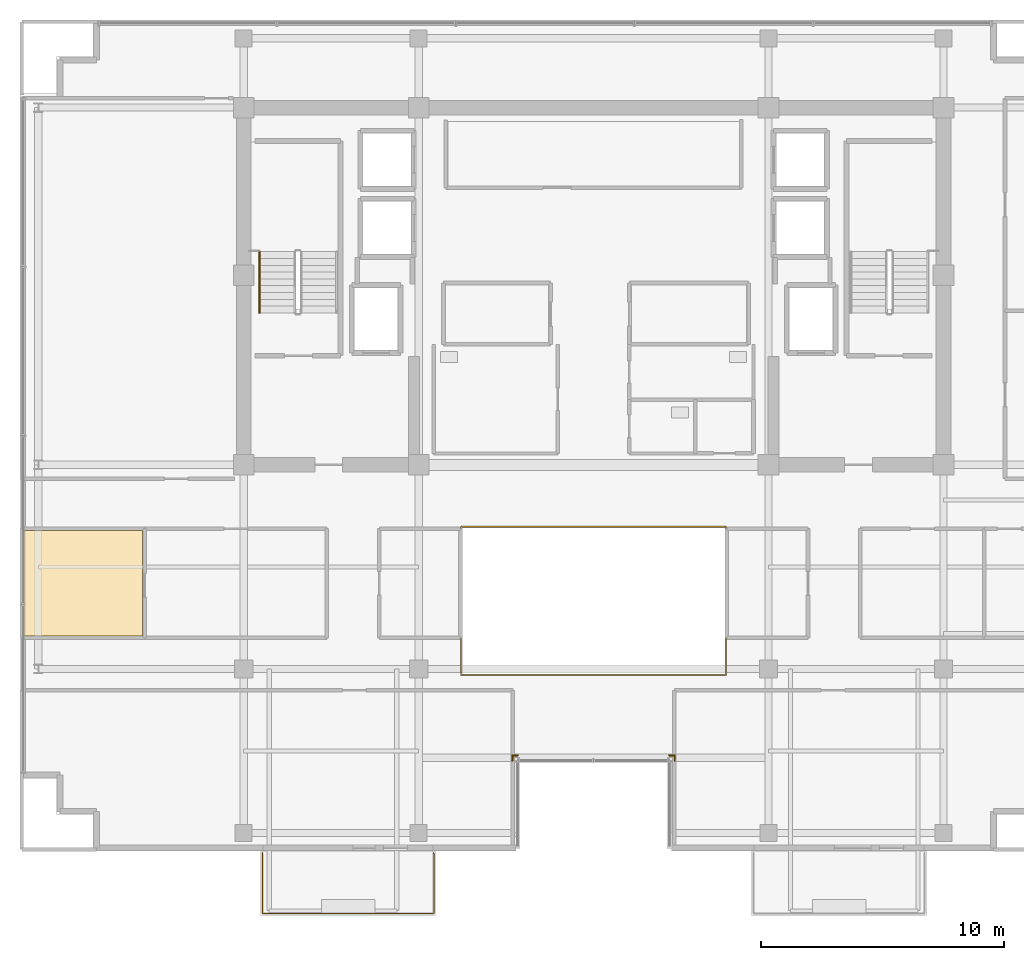
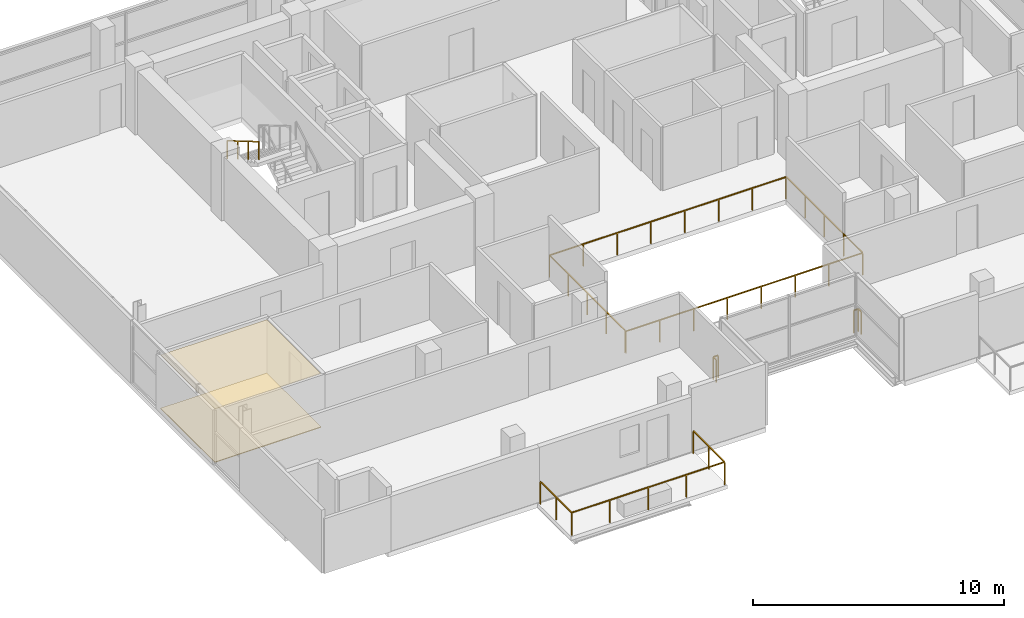
# One storey, part 20 of 23: 7 railings, 2 coverings.
"""IFC4 building model written with IfcOpenShell, lengths in metres."""

import ifcopenshell
import ifcopenshell.guid

model = None  # the IFC model being written
_history = None  # IfcOwnerHistory: only IFC2X3 demands one
_inside = {}  # id of a spatial element -> (the spatial element, [elements in it])
_under = {}  # id of a project, library or spatial element -> (it, [spatial elements below it])
_declared = {}  # id of a project -> (the project, [libraries it declares])
_typed = {}  # id of a type object -> (the type object, [elements of that type])
_made_of = {}  # id of a material, layer set ... -> (it, [elements and type objects made of it])


def new_model(schema):
    """Start an empty IFC model of exactly this schema.

    Asked for "IFC4X3", IfcOpenShell would pick the latest addendum, in which some entities
    have other attributes; the version numbers below select the first issue.
    IFC2X3 requires an IfcOwnerHistory on every rooted entity: one is made here for all.
    """
    global model, _history
    if schema == "IFC4X3":
        model = ifcopenshell.file(schema_version=(4, 3, 0, 0))
    else:
        model = ifcopenshell.file(schema=schema)
    _inside.clear()
    _under.clear()
    _declared.clear()
    _typed.clear()
    _made_of.clear()
    _history = None
    if model.schema == "IFC2X3":
        org = make("IfcOrganization", Name="unknown")
        user = make(
            "IfcPersonAndOrganization",
            ThePerson=make("IfcPerson", FamilyName="unknown"),
            TheOrganization=org,
        )
        app = make(
            "IfcApplication",
            ApplicationDeveloper=org,
            Version="unknown",
            ApplicationFullName="unknown",
            ApplicationIdentifier="unknown",
        )
        _history = make(
            "IfcOwnerHistory",
            OwningUser=user,
            OwningApplication=app,
            ChangeAction="ADDED",
            CreationDate=0,
        )
    return model


def make(cls, **values):
    """One entity of the class cls with the attributes given. An attribute that is None is left unset."""
    return model.create_entity(
        cls, **{name: value for name, value in values.items() if value is not None}
    )


def rooted(cls, **values):
    """An entity with a GlobalId (a new one), such as an element, a storey or a relation."""
    return make(cls, GlobalId=ifcopenshell.guid.new(), OwnerHistory=_history, **values)


def si_unit(unit_type, name, prefix=None):
    """IfcSIUnit, for example si_unit("LENGTHUNIT", "METRE", prefix="MILLI")."""
    return make("IfcSIUnit", UnitType=unit_type, Prefix=prefix, Name=name)


def assignment(units):
    """IfcUnitAssignment: the units of a project."""
    return None if units is None else make("IfcUnitAssignment", Units=units)


def point(xyz):
    """IfcCartesianPoint."""
    return None if xyz is None else make("IfcCartesianPoint", Coordinates=xyz)


def direction(xyz):
    """IfcDirection."""
    return None if xyz is None else make("IfcDirection", DirectionRatios=xyz)


def frame(location, z_axis=None, x_axis=None):
    """IfcAxis2Placement3D, a coordinate frame: its origin and axes. An axis left out is left unset."""
    return make(
        "IfcAxis2Placement3D",
        Location=point(location),
        Axis=direction(z_axis),
        RefDirection=direction(x_axis),
    )


def frame_2d(location, x_axis=None):
    """IfcAxis2Placement2D, a coordinate frame in the plane: its origin and x axis."""
    return make(
        "IfcAxis2Placement2D", Location=point(location), RefDirection=direction(x_axis)
    )


def origin():
    """The frame at (0, 0, 0) with its axes left unset."""
    return frame((0.0, 0.0, 0.0))


def origin_2d():
    """The frame at (0, 0) in the plane with its x axis left unset."""
    return frame_2d((0.0, 0.0))


def place(relative_to, where):
    """IfcLocalPlacement: puts the frame where relative to a parent placement (None: the world)."""
    return make(
        "IfcLocalPlacement", PlacementRelTo=relative_to, RelativePlacement=where
    )


def context(
    kind, dimensions, precision=None, world=None, true_north=None, identifier=None
):
    """IfcGeometricRepresentationContext, for example the 3D "Model" context."""
    return make(
        "IfcGeometricRepresentationContext",
        ContextIdentifier=identifier,
        ContextType=kind,
        CoordinateSpaceDimension=dimensions,
        Precision=precision,
        WorldCoordinateSystem=world,
        TrueNorth=true_north,
    )


def subcontext(parent, identifier, kind, view, scale=None):
    """IfcGeometricRepresentationSubContext, for example "Body" below "Model"."""
    return make(
        "IfcGeometricRepresentationSubContext",
        ContextIdentifier=identifier,
        ContextType=kind,
        ParentContext=parent,
        TargetScale=scale,
        TargetView=view,
    )


def project(units=None, contexts=None):
    """IfcProject with its units and contexts."""
    return rooted(
        "IfcProject",
        Name="project",
        RepresentationContexts=contexts,
        UnitsInContext=assignment(units),
    )


def spatial(cls, under=None, at=None, **own):
    """A site, building, storey or space (cls), placed at a placement, below another one or the project."""
    s = rooted(cls, ObjectPlacement=at, **own)
    if under is not None:
        _under.setdefault(under.id(), (under, []))[1].append(s)
    return s


def polyline(points):
    """IfcPolyline through the points."""
    return make("IfcPolyline", Points=[point(p) for p in points])


def profile(cls, at=None, kind="AREA", **sizes):
    """A parametric profile (cls). Its sizes go by their IFC names, for example OverallWidth=200.0."""
    return make(cls, ProfileType=kind, Position=at, **sizes)


def rectangle(**sizes):
    """IfcRectangleProfileDef."""
    return profile("IfcRectangleProfileDef", **sizes)


def outline(outer, holes=None, kind="AREA"):
    """IfcArbitraryClosedProfileDef: a profile drawn as a closed curve; with holes, ...WithVoids."""
    if holes is None:
        return make("IfcArbitraryClosedProfileDef", ProfileType=kind, OuterCurve=outer)
    return make(
        "IfcArbitraryProfileDefWithVoids",
        ProfileType=kind,
        OuterCurve=outer,
        InnerCurves=holes,
    )


def extrude(swept, where, along, depth):
    """IfcExtrudedAreaSolid: the profile swept, set in the frame where, extruded along a direction by depth."""
    return make(
        "IfcExtrudedAreaSolid",
        SweptArea=swept,
        Position=where,
        ExtrudedDirection=direction(along),
        Depth=depth,
    )


def shape(context_of_items, identifier, shape_type, items):
    """IfcShapeRepresentation: the items that make up one representation, for example the "Body"."""
    return make(
        "IfcShapeRepresentation",
        ContextOfItems=context_of_items,
        RepresentationIdentifier=identifier,
        RepresentationType=shape_type,
        Items=items,
    )


def material(Name=None, Category=None):
    """IfcMaterial."""
    return make("IfcMaterial", Name=Name, Category=Category)


def layer(
    of_material, thickness, ventilated=None, Name=None, Category=None, Priority=None
):
    """IfcMaterialLayer: one layer of a wall or slab, of a material (None: an air gap)."""
    return make(
        "IfcMaterialLayer",
        Material=of_material,
        LayerThickness=thickness,
        IsVentilated=ventilated,
        Name=Name,
        Category=Category,
        Priority=Priority,
    )


def layer_set(layers, Name=None):
    """IfcMaterialLayerSet."""
    return make("IfcMaterialLayerSet", MaterialLayers=layers, LayerSetName=Name)


def made_of(thing, what):
    """Note that an element or type object is made of a material, layer set ...; save() writes the relation."""
    if what is not None:
        _made_of.setdefault(what.id(), (what, []))[1].append(thing)
    return thing


def type_object(cls, material=None, **own):
    """A type object (cls), such as IfcWallType, which elements share."""
    return made_of(rooted(cls, **own), material)


def element(
    cls,
    number,
    at=None,
    inside=None,
    cuts=None,
    type_object=None,
    material=None,
    context=None,
    identifier="Body",
    shape_type=None,
    held_by="IfcProductDefinitionShape",
    body=None,
    shapes=None,
    **own,
):
    """One element of the class cls, such as IfcWall. Its Tag is "e" and its number.

    at: its placement. inside: the storey or other place that contains it. cuts: it is an
    opening in that element (IfcRelVoidsElement). A single representation is given by context,
    identifier, shape_type and body (its items); several are given by shapes. held_by: the class
    of the entity that holds the representations. save() writes the other relations.
    """
    e = rooted(cls, Tag="e%d" % number, ObjectPlacement=at, **own)
    if body is not None:
        shapes = [shape(context, identifier, shape_type, body)]
    if shapes is not None:
        e.Representation = make(held_by, Representations=shapes)
    if inside is not None:
        _inside.setdefault(inside.id(), (inside, []))[1].append(e)
    if cuts is not None:
        rooted(
            "IfcRelVoidsElement", RelatingBuildingElement=cuts, RelatedOpeningElement=e
        )
    if type_object is not None:
        _typed.setdefault(type_object.id(), (type_object, []))[1].append(e)
    return made_of(e, material)


def aggregate(whole, parts):
    """IfcRelAggregates: a whole, such as a stair, and the parts it consists of."""
    return rooted("IfcRelAggregates", RelatingObject=whole, RelatedObjects=parts)


def save(model, path):
    """Write the relations noted so far, then the file.

    IfcRelAggregates (storeys below a building ...), IfcRelContainedInSpatialStructure (elements
    in a storey), IfcRelDefinesByType, IfcRelAssociatesMaterial and IfcRelDeclares: one each for
    every whole, place, type object, material and project.
    """
    for whole, parts in _under.values():
        aggregate(whole, parts)
    for where, things in _inside.values():
        rooted(
            "IfcRelContainedInSpatialStructure",
            RelatedElements=things,
            RelatingStructure=where,
        )
    for kind, things in _typed.values():
        rooted("IfcRelDefinesByType", RelatedObjects=things, RelatingType=kind)
    for what, things in _made_of.values():
        rooted("IfcRelAssociatesMaterial", RelatedObjects=things, RelatingMaterial=what)
    for by, libraries in _declared.values():
        rooted("IfcRelDeclares", RelatingContext=by, RelatedDefinitions=libraries)
    model.write(path)


model = new_model("IFC4")

# Units and contexts
model_context = context("Model", 3, precision=1e-05, world=origin(), true_north=direction((0.0, 1.0)))
body_context = subcontext(model_context, "Body", "Model", "MODEL_VIEW")
ifc_project = project(units=[si_unit("LENGTHUNIT", "METRE"), si_unit("AREAUNIT", "SQUARE_METRE"), si_unit("VOLUMEUNIT", "CUBIC_METRE"), si_unit("PLANEANGLEUNIT", "RADIAN"), si_unit("MASSUNIT", "GRAM", prefix="KILO")], contexts=[model_context])

# Site, building, storey
site_placement = place(None, origin())
site = spatial("IfcSite", under=ifc_project, at=site_placement, CompositionType="ELEMENT")
building_placement = place(site_placement, origin())
building = spatial("IfcBuilding", under=site, at=building_placement, Name="Zarnakvel Exchange Tower", CompositionType="ELEMENT")
storey_placement = place(building_placement, frame((0.0, 0.0, 218.800048828125)))
storey = spatial("IfcBuildingStorey", under=building, at=storey_placement, Name="L61", CompositionType="ELEMENT", Elevation=218.800048828125)

# Coverings
ifc_material_1 = material(Name="Perforated Bronze Acoustic Metal Ceiling", Category="aluminium")
ifc_layer_1 = layer(ifc_material_1, 0.02001953125)
ifc_layer_set_1 = layer_set([ifc_layer_1], Name="Perforated Bronze Acoustic Metal Ceiling")
covering_type_1 = type_object("IfcCoveringType", Name="CLG-01", PredefinedType="CEILING", material=ifc_layer_set_1)
covering_1_placement = place(storey_placement, frame((0.0, 0.0, 2.60498046875)))
element("IfcCovering", 1, at=covering_1_placement, inside=storey, type_object=covering_type_1, Name="L61 Suspended Acoustic Ceiling (Institutional Dealing Room)", PredefinedType="CEILING", context=body_context, shape_type="SweptSolid", body=[
    extrude(outline(polyline([(-23.449951171875, -3.909912109375), (-18.55810546875, -3.909912109375), (-18.55810546875, -8.239990234375), (-23.449951171875, -8.239990234375), (-23.449951171875, -3.909912109375)])), origin(), (0.0, 0.0, 1.0), 0.02001953125),
])
ifc_material_2 = material(Name="Heavy-Duty Raised Access Floor Panel", Category="steel")
ifc_layer_2 = layer(ifc_material_2, 0.034912109375)
ifc_layer_set_2 = layer_set([ifc_layer_2], Name="Heavy-Duty Raised Access Floor Panel")
covering_type_2 = type_object("IfcCoveringType", Name="FLR-02", PredefinedType="FLOORING", material=ifc_layer_set_2)
covering_2_placement = place(storey_placement, origin())
element("IfcCovering", 2, at=covering_2_placement, inside=storey, type_object=covering_type_2, Name="L61 Floor Finish (Institutional Dealing Room)", PredefinedType="FLOORING", context=body_context, shape_type="SweptSolid", body=[
    extrude(outline(polyline([(-23.449951171875, -3.909912109375), (-18.55810546875, -3.909912109375), (-18.55810546875, -8.239990234375), (-23.449951171875, -8.239990234375), (-23.449951171875, -3.909912109375)])), origin(), (0.0, 0.0, 1.0), 0.034912109375),
])

# Railings
ifc_material_3 = material(Name="Architectural Bronze Anodised Aluminium", Category="aluminium")
railing_type_1 = type_object("IfcRailingType", Name="GR-02", PredefinedType="GUARDRAIL", material=ifc_material_3)
railing_1_placement = place(storey_placement, frame((-13.6201171875, -17.179931640625, -0.03515625)))
element("IfcRailing", 3, at=railing_1_placement, inside=storey, type_object=railing_type_1, Name="L61 Balcony Guardrail BAL-L61-SW", PredefinedType="GUARDRAIL", context=body_context, shape_type="SweptSolid", body=[
    extrude(rectangle(XDim=0.048095703125, YDim=0.048095703125, at=origin_2d()), frame((0.0, 0.0, 1.09619140625), z_axis=(0.0, -1.0, 0.0), x_axis=(1.0, 0.0, 0.0)), (0.0, 0.0, 1.0), 2.489990234375),
    extrude(rectangle(XDim=0.048095703125, YDim=0.048095703125, at=origin_2d()), frame((0.0, -2.489990234375, 1.09619140625), z_axis=(1.0, 0.0, 0.0), x_axis=(0.0, 1.0, 0.0)), (0.0, 0.0, 1.0), 7.0400390625),
    extrude(rectangle(XDim=0.048095703125, YDim=0.048095703125, at=origin_2d()), frame((7.0400390625, -2.489990234375, 1.09619140625), z_axis=(0.0, 1.0, 0.0), x_axis=(-1.0, 0.0, 0.0)), (0.0, 0.0, 1.0), 2.489990234375),
    extrude(rectangle(XDim=0.0419921875, YDim=0.0419921875, at=origin_2d()), origin(), (0.0, 0.0, 1.0), 1.072021484375),
    extrude(rectangle(XDim=0.0419921875, YDim=0.0419921875, at=origin_2d()), frame((0.0, -1.2451171875, 0.0)), (0.0, 0.0, 1.0), 1.072021484375),
    extrude(rectangle(XDim=0.0419921875, YDim=0.0419921875, at=origin_2d()), frame((0.0, -2.489990234375, 0.0)), (0.0, 0.0, 1.0), 1.072021484375),
    extrude(rectangle(XDim=0.0419921875, YDim=0.0419921875, at=origin_2d()), frame((1.760009765625, -2.489990234375, 0.0)), (0.0, 0.0, 1.0), 1.072021484375),
    extrude(rectangle(XDim=0.0419921875, YDim=0.0419921875, at=origin_2d()), frame((3.52001953125, -2.489990234375, 0.0)), (0.0, 0.0, 1.0), 1.072021484375),
    extrude(rectangle(XDim=0.0419921875, YDim=0.0419921875, at=origin_2d()), frame((5.280029296875, -2.489990234375, 0.0)), (0.0, 0.0, 1.0), 1.072021484375),
    extrude(rectangle(XDim=0.0419921875, YDim=0.0419921875, at=origin_2d()), frame((7.0400390625, -2.489990234375, 0.0)), (0.0, 0.0, 1.0), 1.072021484375),
    extrude(rectangle(XDim=0.0419921875, YDim=0.0419921875, at=origin_2d()), frame((7.0400390625, -1.2451171875, 0.0)), (0.0, 0.0, 1.0), 1.072021484375),
    extrude(rectangle(XDim=0.0419921875, YDim=0.0419921875, at=origin_2d()), frame((7.0400390625, 0.0, 0.0)), (0.0, 0.0, 1.0), 1.072021484375),
])
railing_2_placement = place(storey_placement, frame((3.340087890625, -13.3798828125, 0.0)))
element("IfcRailing", 4, at=railing_2_placement, inside=storey, type_object=railing_type_1, Name="L61 Corner Spandrel Balustrade #17", PredefinedType="GUARDRAIL", context=body_context, shape_type="SweptSolid", body=[
    extrude(rectangle(XDim=0.048095703125, YDim=0.048095703125, at=origin_2d()), frame((0.0, 0.0, 1.09619140625), z_axis=(0.0, 1.0, 0.0), x_axis=(-1.0, 0.0, 0.0)), (0.0, 0.0, 1.0), 0.219970703125),
    extrude(rectangle(XDim=0.0419921875, YDim=0.0419921875, at=origin_2d()), origin(), (0.0, 0.0, 1.0), 1.072021484375),
    extrude(rectangle(XDim=0.0419921875, YDim=0.0419921875, at=origin_2d()), frame((0.0, 0.219970703125, 0.0)), (0.0, 0.0, 1.0), 1.072021484375),
])
for number, where, name in (
    (5, (3.340087890625, -13.159912109375, 0.0), "L61 Corner Spandrel Balustrade #18"),
    (6, (-3.1201171875, -13.159912109375, 0.0), "L61 Corner Spandrel Balustrade #19"),
):
    element("IfcRailing", number, at=place(storey_placement, frame(where)), inside=storey, type_object=railing_type_1, Name=name, PredefinedType="GUARDRAIL", context=body_context, shape_type="SweptSolid", body=[
        extrude(rectangle(XDim=0.048095703125, YDim=0.048095703125, at=origin_2d()), frame((0.0, 0.0, 1.09619140625), z_axis=(-1.0, 0.0, 0.0), x_axis=(0.0, -1.0, 0.0)), (0.0, 0.0, 1.0), 0.219970703125),
        extrude(rectangle(XDim=0.0419921875, YDim=0.0419921875, at=origin_2d()), origin(), (0.0, 0.0, 1.0), 1.072021484375),
        extrude(rectangle(XDim=0.0419921875, YDim=0.0419921875, at=origin_2d()), frame((-0.219970703125, 0.0, 0.0)), (0.0, 0.0, 1.0), 1.072021484375),
    ])
railing_3_placement = place(storey_placement, frame((-3.340087890625, -13.159912109375, 0.0)))
element("IfcRailing", 7, at=railing_3_placement, inside=storey, type_object=railing_type_1, Name="L61 Corner Spandrel Balustrade #20", PredefinedType="GUARDRAIL", context=body_context, shape_type="SweptSolid", body=[
    extrude(rectangle(XDim=0.048095703125, YDim=0.048095703125, at=origin_2d()), frame((0.0, 0.0, 1.09619140625), z_axis=(0.0, -1.0, 0.0), x_axis=(1.0, 0.0, 0.0)), (0.0, 0.0, 1.0), 0.219970703125),
    extrude(rectangle(XDim=0.0419921875, YDim=0.0419921875, at=origin_2d()), origin(), (0.0, 0.0, 1.0), 1.072021484375),
    extrude(rectangle(XDim=0.0419921875, YDim=0.0419921875, at=origin_2d()), frame((0.0, -0.219970703125, 0.0)), (0.0, 0.0, 1.0), 1.072021484375),
])
railing_type_2 = type_object("IfcRailingType", Name="GR-03", PredefinedType="GUARDRAIL", material=ifc_material_3)
railing_4_placement = place(storey_placement, frame((-5.449951171875, -9.85009765625, 0.0)))
element("IfcRailing", 8, at=railing_4_placement, inside=storey, type_object=railing_type_2, Name="L61 Atrium Void Perimeter Balustrade", PredefinedType="GUARDRAIL", context=body_context, shape_type="SweptSolid", body=[
    extrude(rectangle(XDim=0.048095703125, YDim=0.048095703125, at=origin_2d()), frame((0.0, 0.0, 1.076171875), z_axis=(1.0, 0.0, 0.0), x_axis=(0.0, 1.0, 0.0)), (0.0, 0.0, 1.0), 10.89990234375),
    extrude(rectangle(XDim=0.048095703125, YDim=0.048095703125, at=origin_2d()), frame((10.89990234375, 0.0, 1.076171875), z_axis=(0.0, 1.0, 0.0), x_axis=(-1.0, 0.0, 0.0)), (0.0, 0.0, 1.0), 6.10009765625),
    extrude(rectangle(XDim=0.048095703125, YDim=0.048095703125, at=origin_2d()), frame((10.89990234375, 6.10009765625, 1.076171875), z_axis=(-1.0, 0.0, 0.0), x_axis=(0.0, -1.0, 0.0)), (0.0, 0.0, 1.0), 10.89990234375),
    extrude(rectangle(XDim=0.048095703125, YDim=0.048095703125, at=origin_2d()), frame((0.0, 6.10009765625, 1.076171875), z_axis=(0.0, -1.0, 0.0), x_axis=(1.0, 0.0, 0.0)), (0.0, 0.0, 1.0), 6.02001953125),
    extrude(rectangle(XDim=0.0419921875, YDim=0.0419921875, at=origin_2d()), origin(), (0.0, 0.0, 1.0), 1.052001953125),
    extrude(rectangle(XDim=0.0419921875, YDim=0.0419921875, at=origin_2d()), frame((1.55712890625, 0.0, 0.0)), (0.0, 0.0, 1.0), 1.052001953125),
    extrude(rectangle(XDim=0.0419921875, YDim=0.0419921875, at=origin_2d()), frame((3.1142578125, 0.0, 0.0)), (0.0, 0.0, 1.0), 1.052001953125),
    extrude(rectangle(XDim=0.0419921875, YDim=0.0419921875, at=origin_2d()), frame((4.67138671875, 0.0, 0.0)), (0.0, 0.0, 1.0), 1.052001953125),
    extrude(rectangle(XDim=0.0419921875, YDim=0.0419921875, at=origin_2d()), frame((6.228515625, 0.0, 0.0)), (0.0, 0.0, 1.0), 1.052001953125),
    extrude(rectangle(XDim=0.0419921875, YDim=0.0419921875, at=origin_2d()), frame((7.78564453125, 0.0, 0.0)), (0.0, 0.0, 1.0), 1.052001953125),
    extrude(rectangle(XDim=0.0419921875, YDim=0.0419921875, at=origin_2d()), frame((9.3427734375, 0.0, 0.0)), (0.0, 0.0, 1.0), 1.052001953125),
    extrude(rectangle(XDim=0.0419921875, YDim=0.0419921875, at=origin_2d()), frame((10.89990234375, 0.0, 0.0)), (0.0, 0.0, 1.0), 1.052001953125),
    extrude(rectangle(XDim=0.0419921875, YDim=0.0419921875, at=origin_2d()), frame((10.89990234375, 1.52490234375, 0.0)), (0.0, 0.0, 1.0), 1.052001953125),
    extrude(rectangle(XDim=0.0419921875, YDim=0.0419921875, at=origin_2d()), frame((10.89990234375, 3.050048828125, 0.0)), (0.0, 0.0, 1.0), 1.052001953125),
    extrude(rectangle(XDim=0.0419921875, YDim=0.0419921875, at=origin_2d()), frame((10.89990234375, 4.5751953125, 0.0)), (0.0, 0.0, 1.0), 1.052001953125),
    extrude(rectangle(XDim=0.0419921875, YDim=0.0419921875, at=origin_2d()), frame((10.89990234375, 6.10009765625, 0.0)), (0.0, 0.0, 1.0), 1.052001953125),
    extrude(rectangle(XDim=0.0419921875, YDim=0.0419921875, at=origin_2d()), frame((9.3427734375, 6.10009765625, 0.0)), (0.0, 0.0, 1.0), 1.052001953125),
    extrude(rectangle(XDim=0.0419921875, YDim=0.0419921875, at=origin_2d()), frame((7.78564453125, 6.10009765625, 0.0)), (0.0, 0.0, 1.0), 1.052001953125),
    extrude(rectangle(XDim=0.0419921875, YDim=0.0419921875, at=origin_2d()), frame((6.228515625, 6.10009765625, 0.0)), (0.0, 0.0, 1.0), 1.052001953125),
    extrude(rectangle(XDim=0.0419921875, YDim=0.0419921875, at=origin_2d()), frame((4.67138671875, 6.10009765625, 0.0)), (0.0, 0.0, 1.0), 1.052001953125),
    extrude(rectangle(XDim=0.0419921875, YDim=0.0419921875, at=origin_2d()), frame((3.1142578125, 6.10009765625, 0.0)), (0.0, 0.0, 1.0), 1.052001953125),
    extrude(rectangle(XDim=0.0419921875, YDim=0.0419921875, at=origin_2d()), frame((1.55712890625, 6.10009765625, 0.0)), (0.0, 0.0, 1.0), 1.052001953125),
    extrude(rectangle(XDim=0.0419921875, YDim=0.0419921875, at=origin_2d()), frame((0.0, 6.10009765625, 0.0)), (0.0, 0.0, 1.0), 1.052001953125),
    extrude(rectangle(XDim=0.0419921875, YDim=0.0419921875, at=origin_2d()), frame((0.0, 4.59521484375, 0.0)), (0.0, 0.0, 1.0), 1.052001953125),
    extrude(rectangle(XDim=0.0419921875, YDim=0.0419921875, at=origin_2d()), frame((0.0, 3.090087890625, 0.0)), (0.0, 0.0, 1.0), 1.052001953125),
    extrude(rectangle(XDim=0.0419921875, YDim=0.0419921875, at=origin_2d()), frame((0.0, 1.5849609375, 0.0)), (0.0, 0.0, 1.0), 1.052001953125),
    extrude(rectangle(XDim=0.0419921875, YDim=0.0419921875, at=origin_2d()), frame((0.0, 0.080078125, 0.0)), (0.0, 0.0, 1.0), 1.052001953125),
])
ifc_material_4 = material(Name="Brushed Stainless Steel", Category="steel")
railing_type_3 = type_object("IfcRailingType", Name="HR-01", PredefinedType="HANDRAIL", material=ifc_material_4)
railing_5_placement = place(storey_placement, frame((-13.75, 7.570068359375, 1.81494140625)))
element("IfcRailing", 9, at=railing_5_placement, inside=storey, type_object=railing_type_3, Name="L61 ST-01 stair handrail 2", PredefinedType="HANDRAIL", context=body_context, shape_type="SweptSolid", body=[
    extrude(rectangle(XDim=0.048095703125, YDim=0.048095703125, at=origin_2d()), frame((0.0, 0.0, 0.8759765625), z_axis=(0.0, -0.86152411907, 0.507716645641), x_axis=(1.0, 0.0, 0.0)), (0.0, 0.0, 1.0), 2.925048828125),
    extrude(rectangle(XDim=0.0419921875, YDim=0.0419921875, at=origin_2d()), origin(), (0.0, 0.0, 1.0), 0.851806640625),
    extrude(rectangle(XDim=0.0419921875, YDim=0.0419921875, at=origin_2d()), frame((0.0, -0.840087890625, 0.4951171875)), (0.0, 0.0, 1.0), 0.851806640625),
    extrude(rectangle(XDim=0.0419921875, YDim=0.0419921875, at=origin_2d()), frame((0.0, -1.679931640625, 0.989990234375)), (0.0, 0.0, 1.0), 0.851806640625),
    extrude(rectangle(XDim=0.0419921875, YDim=0.0419921875, at=origin_2d()), frame((0.0, -2.52001953125, 1.485107421875)), (0.0, 0.0, 1.0), 0.851806640625),
])

save(model, "model.ifc")
